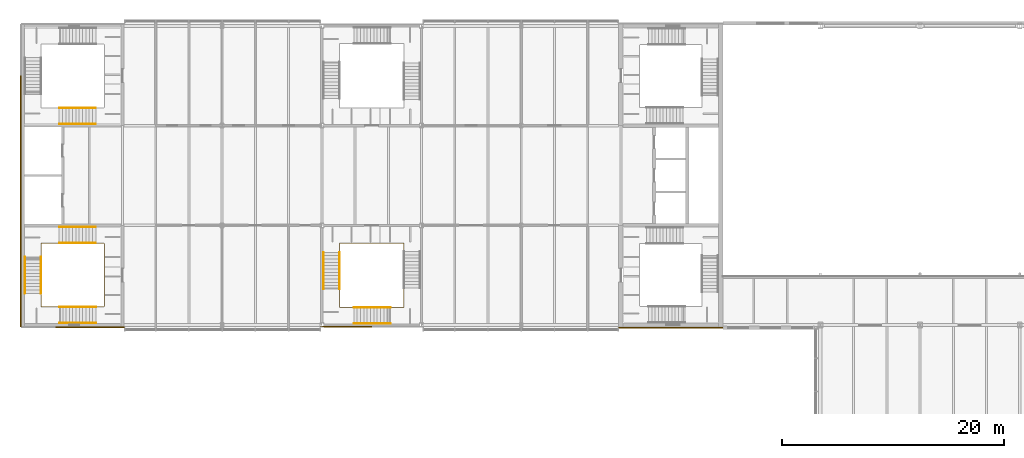
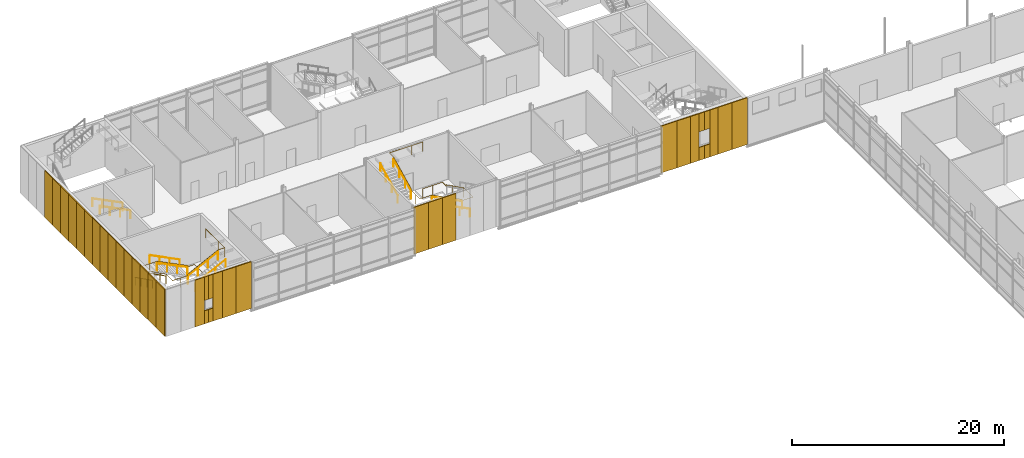
# One storey, part 50 of 56: 36 coverings, 14 railings.
"""IFC4 building model written with IfcOpenShell, lengths in metres."""

from ifc_helpers import new_model, si_unit, direction, frame, origin, origin_2d, place, context, subcontext, project, spatial, rectangle, circle, extrude, material, layer, layer_set, type_object, element, save


model = new_model("IFC4")

# Units and contexts
model_context = context("Model", 3, precision=1e-05, world=origin(), true_north=direction((0.0, 1.0)))
body_context = subcontext(model_context, "Body", "Model", "MODEL_VIEW")
ifc_project = project(units=[si_unit("LENGTHUNIT", "METRE"), si_unit("AREAUNIT", "SQUARE_METRE"), si_unit("VOLUMEUNIT", "CUBIC_METRE"), si_unit("PLANEANGLEUNIT", "RADIAN"), si_unit("MASSUNIT", "GRAM", prefix="KILO")], contexts=[model_context])

# Site, building, storey
site_placement = place(None, origin())
site = spatial("IfcSite", under=ifc_project, at=site_placement, CompositionType="ELEMENT")
building_placement = place(site_placement, origin())
building = spatial("IfcBuilding", under=site, at=building_placement, Name="Azimuth Sports and Learning Centre", CompositionType="ELEMENT")
storey_placement = place(building_placement, frame((0.0, 0.0, 5.39990234375)))
storey = spatial("IfcBuildingStorey", under=building, at=storey_placement, Name="L01", CompositionType="ELEMENT", Elevation=5.39990234375)

# Coverings
ifc_material_1 = material(Name="Cladding panel")
ifc_layer = layer(ifc_material_1, 0.10009765625)
ifc_layer_set = layer_set([ifc_layer], Name="Cladding panel")
covering_type = type_object("IfcCoveringType", Name="Cladding panel 100", PredefinedType="CLADDING", material=ifc_layer_set)
covering_1_placement = place(storey_placement, frame((3.52490234375, 89.800048828125, 0.000244140625), z_axis=(0.0, 0.0, 1.0), x_axis=(1.0, 0.0, 0.0)))
element("IfcCovering", 1, at=covering_1_placement, inside=storey, type_object=covering_type, Name="Cladding panel S-END W L01 3", PredefinedType="CLADDING", context=body_context, shape_type="SweptSolid", body=[
    extrude(rectangle(XDim=1.050048828125, YDim=0.10009765625, at=origin_2d()), origin(), (0.0, 0.0, 1.0), 5.39990234375),
])
covering_2_placement = place(storey_placement, frame((4.27490234375, 89.800048828125, 0.0), z_axis=(0.0, 0.0, 1.0), x_axis=(1.0, 0.0, 0.0)))
element("IfcCovering", 2, at=covering_2_placement, inside=storey, type_object=covering_type, Name="Cladding panel S-END W L01 4", PredefinedType="CLADDING", context=body_context, shape_type="SweptSolid", body=[
    extrude(rectangle(XDim=0.449951171875, YDim=0.10009765625, at=origin_2d()), origin(), (0.0, 0.0, 1.0), 1.5),
])
covering_3_placement = place(storey_placement, frame((4.27490234375, 89.800048828125, 2.7001953125), z_axis=(0.0, 0.0, 1.0), x_axis=(1.0, 0.0, 0.0)))
element("IfcCovering", 3, at=covering_3_placement, inside=storey, type_object=covering_type, Name="Cladding panel S-END W L01 5", PredefinedType="CLADDING", context=body_context, shape_type="SweptSolid", body=[
    extrude(rectangle(XDim=0.449951171875, YDim=0.10009765625, at=origin_2d()), origin(), (0.0, 0.0, 1.0), 2.699951171875),
])
covering_4_placement = place(storey_placement, frame((5.47509765625, 89.800048828125, 0.000244140625), z_axis=(0.0, 0.0, 1.0), x_axis=(1.0, 0.0, 0.0)))
element("IfcCovering", 4, at=covering_4_placement, inside=storey, type_object=covering_type, Name="Cladding panel S-END W L01 6", PredefinedType="CLADDING", context=body_context, shape_type="SweptSolid", body=[
    extrude(rectangle(XDim=1.050048828125, YDim=0.10009765625, at=origin_2d()), origin(), (0.0, 0.0, 1.0), 5.39990234375),
])
covering_5_placement = place(storey_placement, frame((4.72509765625, 89.800048828125, 0.0), z_axis=(0.0, 0.0, 1.0), x_axis=(1.0, 0.0, 0.0)))
element("IfcCovering", 5, at=covering_5_placement, inside=storey, type_object=covering_type, Name="Cladding panel S-END W L01 7", PredefinedType="CLADDING", context=body_context, shape_type="SweptSolid", body=[
    extrude(rectangle(XDim=0.449951171875, YDim=0.10009765625, at=origin_2d()), origin(), (0.0, 0.0, 1.0), 1.5),
])
covering_6_placement = place(storey_placement, frame((4.72509765625, 89.800048828125, 2.7001953125), z_axis=(0.0, 0.0, 1.0), x_axis=(1.0, 0.0, 0.0)))
element("IfcCovering", 6, at=covering_6_placement, inside=storey, type_object=covering_type, Name="Cladding panel S-END W L01 8", PredefinedType="CLADDING", context=body_context, shape_type="SweptSolid", body=[
    extrude(rectangle(XDim=0.449951171875, YDim=0.10009765625, at=origin_2d()), origin(), (0.0, 0.0, 1.0), 2.699951171875),
])
covering_7_placement = place(storey_placement, frame((6.75, 89.800048828125, 0.000244140625), z_axis=(0.0, 0.0, 1.0), x_axis=(1.0, 0.0, 0.0)))
element("IfcCovering", 7, at=covering_7_placement, inside=storey, type_object=covering_type, Name="Cladding panel S-END W L01 9", PredefinedType="CLADDING", context=body_context, shape_type="SweptSolid", body=[
    extrude(rectangle(XDim=1.5, YDim=0.10009765625, at=origin_2d()), origin(), (0.0, 0.0, 1.0), 5.39990234375),
])
covering_8_placement = place(storey_placement, frame((8.324951171875, 89.800048828125, 0.000244140625), z_axis=(0.0, 0.0, 1.0), x_axis=(1.0, 0.0, 0.0)))
element("IfcCovering", 8, at=covering_8_placement, inside=storey, type_object=covering_type, Name="Cladding panel S-END W L01 10", PredefinedType="CLADDING", context=body_context, shape_type="SweptSolid", body=[
    extrude(rectangle(XDim=1.64990234375, YDim=0.10009765625, at=origin_2d()), origin(), (0.0, 0.0, 1.0), 5.39990234375),
])
covering_9_placement = place(storey_placement, frame((27.699951171875, 89.85009765625, 0.000244140625), z_axis=(0.0, 0.0, 1.0), x_axis=(1.0, 0.0, 0.0)))
element("IfcCovering", 9, at=covering_9_placement, inside=storey, type_object=covering_type, Name="Cladding panel S-WM1 L01 1", PredefinedType="CLADDING", context=body_context, shape_type="SweptSolid", body=[
    extrude(rectangle(XDim=1.60009765625, YDim=0.10009765625, at=origin_2d()), origin(), (0.0, 0.0, 1.0), 5.39990234375),
])
for number, where, z_axis, x_axis, name in (
    (10, (29.25, 89.85009765625, 0.000244140625), (0.0, 0.0, 1.0), (1.0, 0.0, 0.0), "Cladding panel S-WM1 L01 2"),
    (11, (30.75, 89.85009765625, 0.000244140625), (0.0, 0.0, 1.0), (1.0, 0.0, 0.0), "Cladding panel S-WM1 L01 3"),
):
    element("IfcCovering", number, at=place(storey_placement, frame(where, z_axis=z_axis, x_axis=x_axis)), inside=storey, type_object=covering_type, Name=name, PredefinedType="CLADDING", context=body_context, shape_type="SweptSolid", body=[
        extrude(rectangle(XDim=1.5, YDim=0.10009765625, at=origin_2d()), origin(), (0.0, 0.0, 1.0), 5.39990234375),
    ])
covering_10_placement = place(storey_placement, frame((54.64990234375, 89.75, 0.000244140625), z_axis=(0.0, 0.0, 1.0), x_axis=(1.0, 0.0, 0.0)))
element("IfcCovering", 12, at=covering_10_placement, inside=storey, type_object=covering_type, Name="Cladding panel S-CORE W L01 1", PredefinedType="CLADDING", context=body_context, shape_type="SweptSolid", body=[
    extrude(rectangle(XDim=1.699951171875, YDim=0.10009765625, at=origin_2d()), origin(), (0.0, 0.0, 1.0), 5.39990234375),
])
covering_11_placement = place(storey_placement, frame((56.25, 89.75, 0.000244140625), z_axis=(0.0, 0.0, 1.0), x_axis=(1.0, 0.0, 0.0)))
element("IfcCovering", 13, at=covering_11_placement, inside=storey, type_object=covering_type, Name="Cladding panel S-CORE W L01 2", PredefinedType="CLADDING", context=body_context, shape_type="SweptSolid", body=[
    extrude(rectangle(XDim=1.5, YDim=0.10009765625, at=origin_2d()), origin(), (0.0, 0.0, 1.0), 5.39990234375),
])
covering_12_placement = place(storey_placement, frame((57.449951171875, 89.75, 0.000244140625), z_axis=(0.0, 0.0, 1.0), x_axis=(1.0, 0.0, 0.0)))
element("IfcCovering", 14, at=covering_12_placement, inside=storey, type_object=covering_type, Name="Cladding panel S-CORE W L01 3", PredefinedType="CLADDING", context=body_context, shape_type="SweptSolid", body=[
    extrude(rectangle(XDim=0.89990234375, YDim=0.10009765625, at=origin_2d()), origin(), (0.0, 0.0, 1.0), 5.39990234375),
])
covering_13_placement = place(storey_placement, frame((58.199951171875, 89.75, 0.0), z_axis=(0.0, 0.0, 1.0), x_axis=(1.0, 0.0, 0.0)))
element("IfcCovering", 15, at=covering_13_placement, inside=storey, type_object=covering_type, Name="Cladding panel S-CORE W L01 4", PredefinedType="CLADDING", context=body_context, shape_type="SweptSolid", body=[
    extrude(rectangle(XDim=0.60009765625, YDim=0.10009765625, at=origin_2d()), origin(), (0.0, 0.0, 1.0), 1.5),
])
covering_14_placement = place(storey_placement, frame((58.199951171875, 89.75, 3.300048828125), z_axis=(0.0, 0.0, 1.0), x_axis=(1.0, 0.0, 0.0)))
element("IfcCovering", 16, at=covering_14_placement, inside=storey, type_object=covering_type, Name="Cladding panel S-CORE W L01 5", PredefinedType="CLADDING", context=body_context, shape_type="SweptSolid", body=[
    extrude(rectangle(XDim=0.60009765625, YDim=0.10009765625, at=origin_2d()), origin(), (0.0, 0.0, 1.0), 2.10009765625),
])
covering_15_placement = place(storey_placement, frame((59.550048828125, 89.75, 0.000244140625), z_axis=(0.0, 0.0, 1.0), x_axis=(1.0, 0.0, 0.0)))
element("IfcCovering", 17, at=covering_15_placement, inside=storey, type_object=covering_type, Name="Cladding panel S-CORE W L01 6", PredefinedType="CLADDING", context=body_context, shape_type="SweptSolid", body=[
    extrude(rectangle(XDim=0.89990234375, YDim=0.10009765625, at=origin_2d()), origin(), (0.0, 0.0, 1.0), 5.39990234375),
])
covering_16_placement = place(storey_placement, frame((58.800048828125, 89.75, 0.0), z_axis=(0.0, 0.0, 1.0), x_axis=(1.0, 0.0, 0.0)))
element("IfcCovering", 18, at=covering_16_placement, inside=storey, type_object=covering_type, Name="Cladding panel S-CORE W L01 7", PredefinedType="CLADDING", context=body_context, shape_type="SweptSolid", body=[
    extrude(rectangle(XDim=0.60009765625, YDim=0.10009765625, at=origin_2d()), origin(), (0.0, 0.0, 1.0), 1.5),
])
covering_17_placement = place(storey_placement, frame((58.800048828125, 89.75, 3.300048828125), z_axis=(0.0, 0.0, 1.0), x_axis=(1.0, 0.0, 0.0)))
element("IfcCovering", 19, at=covering_17_placement, inside=storey, type_object=covering_type, Name="Cladding panel S-CORE W L01 8", PredefinedType="CLADDING", context=body_context, shape_type="SweptSolid", body=[
    extrude(rectangle(XDim=0.60009765625, YDim=0.10009765625, at=origin_2d()), origin(), (0.0, 0.0, 1.0), 2.10009765625),
])
covering_18_placement = place(storey_placement, frame((60.75, 89.75, 0.000244140625), z_axis=(0.0, 0.0, 1.0), x_axis=(1.0, 0.0, 0.0)))
element("IfcCovering", 20, at=covering_18_placement, inside=storey, type_object=covering_type, Name="Cladding panel S-CORE W L01 9", PredefinedType="CLADDING", context=body_context, shape_type="SweptSolid", body=[
    extrude(rectangle(XDim=1.5, YDim=0.10009765625, at=origin_2d()), origin(), (0.0, 0.0, 1.0), 5.39990234375),
])
covering_19_placement = place(storey_placement, frame((62.35009765625, 89.75, 0.000244140625), z_axis=(0.0, 0.0, 1.0), x_axis=(1.0, 0.0, 0.0)))
element("IfcCovering", 21, at=covering_19_placement, inside=storey, type_object=covering_type, Name="Cladding panel S-CORE W L01 10", PredefinedType="CLADDING", context=body_context, shape_type="SweptSolid", body=[
    extrude(rectangle(XDim=1.699951171875, YDim=0.10009765625, at=origin_2d()), origin(), (0.0, 0.0, 1.0), 5.39990234375),
])
for number, where, z_axis, x_axis, name in (
    (22, (-0.199951171875, 111.75, 0.000244140625), (0.0, 0.0, 1.0), (0.0, -1.0, 0.0), "Cladding panel W-END W L01 4"),
    (23, (-0.199951171875, 110.25, 0.000244140625), (0.0, 0.0, 1.0), (0.0, -1.0, 0.0), "Cladding panel W-END W L01 5"),
    (24, (-0.199951171875, 108.75, 0.000244140625), (0.0, 0.0, 1.0), (0.0, -1.0, 0.0), "Cladding panel W-END W L01 6"),
    (25, (-0.199951171875, 107.25, 0.000244140625), (0.0, 0.0, 1.0), (0.0, -1.0, 0.0), "Cladding panel W-END W L01 7"),
    (26, (-0.199951171875, 105.75, 0.000244140625), (0.0, 0.0, 1.0), (0.0, -1.0, 0.0), "Cladding panel W-END W L01 8"),
    (27, (-0.199951171875, 104.25, 0.000244140625), (0.0, 0.0, 1.0), (0.0, -1.0, 0.0), "Cladding panel W-END W L01 9"),
    (28, (-0.199951171875, 102.75, 0.000244140625), (0.0, 0.0, 1.0), (0.0, -1.0, 0.0), "Cladding panel W-END W L01 10"),
    (29, (-0.199951171875, 101.25, 0.000244140625), (0.0, 0.0, 1.0), (0.0, -1.0, 0.0), "Cladding panel W-END W L01 11"),
    (30, (-0.199951171875, 99.75, 0.000244140625), (0.0, 0.0, 1.0), (0.0, -1.0, 0.0), "Cladding panel W-END W L01 12"),
    (31, (-0.199951171875, 98.25, 0.000244140625), (0.0, 0.0, 1.0), (0.0, -1.0, 0.0), "Cladding panel W-END W L01 13"),
    (32, (-0.199951171875, 96.75, 0.000244140625), (0.0, 0.0, 1.0), (0.0, -1.0, 0.0), "Cladding panel W-END W L01 14"),
    (33, (-0.199951171875, 95.25, 0.000244140625), (0.0, 0.0, 1.0), (0.0, -1.0, 0.0), "Cladding panel W-END W L01 15"),
    (34, (-0.199951171875, 93.75, 0.000244140625), (0.0, 0.0, 1.0), (0.0, -1.0, 0.0), "Cladding panel W-END W L01 16"),
    (35, (-0.199951171875, 92.25, 0.000244140625), (0.0, 0.0, 1.0), (0.0, -1.0, 0.0), "Cladding panel W-END W L01 17"),
):
    element("IfcCovering", number, at=place(storey_placement, frame(where, z_axis=z_axis, x_axis=x_axis)), inside=storey, type_object=covering_type, Name=name, PredefinedType="CLADDING", context=body_context, shape_type="SweptSolid", body=[
        extrude(rectangle(XDim=1.5, YDim=0.10009765625, at=origin_2d()), origin(), (0.0, 0.0, 1.0), 5.39990234375),
    ])
covering_20_placement = place(storey_placement, frame((-0.199951171875, 90.675048828125, 0.000244140625), z_axis=(0.0, 0.0, 1.0), x_axis=(0.0, -1.0, 0.0)))
element("IfcCovering", 36, at=covering_20_placement, inside=storey, type_object=covering_type, Name="Cladding panel W-END W L01 18", PredefinedType="CLADDING", context=body_context, shape_type="SweptSolid", body=[
    extrude(rectangle(XDim=1.64990234375, YDim=0.10009765625, at=origin_2d()), origin(), (0.0, 0.0, 1.0), 5.39990234375),
])

# Railings
ifc_material_2 = material(Name="Stainless steel", Category="steel")
railing_type_1 = type_object("IfcRailingType", Name="Stair guard 1100", PredefinedType="GUARDRAIL", material=ifc_material_2)
railing_1_placement = place(storey_placement, frame((7.340087890625, 95.25, 0.0)))
element("IfcRailing", 37, at=railing_1_placement, inside=storey, type_object=railing_type_1, Name="Guard WW1 L01 well", PredefinedType="GUARDRAIL", context=body_context, shape_type="SweptSolid", body=[
    extrude(circle(Radius=0.02392578125, at=origin_2d()), frame((0.0, 0.0, 1.076171875), z_axis=(0.0, 1.0, 0.0), x_axis=(-1.0, 0.0, 0.0)), (0.0, 0.0, 1.0), 2.114990234375),
    extrude(circle(Radius=0.02392578125, at=origin_2d()), frame((0.0, 2.114990234375, 1.076171875), z_axis=(-1.0, 0.0, 0.0), x_axis=(0.0, -1.0, 0.0)), (0.0, 0.0, 1.0), 0.75),
    extrude(circle(Radius=0.02392578125, at=origin_2d()), frame((-0.75, 2.114990234375, 1.076171875), z_axis=(0.0, 0.0, 1.0), x_axis=(1.0, 0.0, 0.0)), (0.0, 0.0, 1.0), 0.150146484375),
    extrude(circle(Radius=0.02392578125, at=origin_2d()), frame((-0.75, 2.114990234375, 1.22607421875), z_axis=(-0.894440424912, 0.0, 0.447187126696), x_axis=(0.0, -1.0, 0.0)), (0.0, 0.0, 1.0), 3.689453125),
    extrude(circle(Radius=0.02392578125, at=origin_2d()), frame((-4.050048828125, 2.114990234375, 2.8759765625), z_axis=(-1.0, 0.0, 0.0), x_axis=(0.0, -1.0, 0.0)), (0.0, 0.0, 1.0), 1.630126953125),
    extrude(circle(Radius=0.02392578125, at=origin_2d()), frame((-5.68017578125, 2.114990234375, 2.8759765625), z_axis=(0.0, -1.0, 0.0), x_axis=(1.0, 0.0, 0.0)), (0.0, 0.0, 1.0), 1.199951171875),
    extrude(circle(Radius=0.02392578125, at=origin_2d()), frame((-5.68017578125, 0.9150390625, 2.8759765625), z_axis=(0.0, 0.0, 1.0), x_axis=(1.0, 0.0, 0.0)), (0.0, 0.0, 1.0), 0.150146484375),
    extrude(circle(Radius=0.02392578125, at=origin_2d()), frame((-5.68017578125, 0.9150390625, 3.0263671875), z_axis=(0.0, -0.894440424912, 0.447187126696), x_axis=(1.0, 0.0, 0.0)), (0.0, 0.0, 1.0), 3.689453125),
    extrude(circle(Radius=0.02392578125, at=origin_2d()), frame((-5.68017578125, -2.385009765625, 4.67626953125), z_axis=(0.0, -1.0, 0.0), x_axis=(1.0, 0.0, 0.0)), (0.0, 0.0, 1.0), 1.205078125),
    extrude(circle(Radius=0.02392578125, at=origin_2d()), frame((-5.68017578125, -3.590087890625, 4.67626953125), z_axis=(1.0, 0.0, 0.0), x_axis=(0.0, 1.0, 0.0)), (0.0, 0.0, 1.0), 1.650146484375),
    extrude(circle(Radius=0.02392578125, at=origin_2d()), frame((-4.030029296875, -3.590087890625, 4.67626953125), z_axis=(0.0, 0.0, 1.0), x_axis=(1.0, 0.0, 0.0)), (0.0, 0.0, 1.0), 0.14990234375),
    extrude(circle(Radius=0.02392578125, at=origin_2d()), frame((-4.030029296875, -3.590087890625, 4.826171875), z_axis=(0.894413956696, 0.0, 0.447240063129), x_axis=(0.0, 1.0, 0.0)), (0.0, 0.0, 1.0), 3.689697265625),
    extrude(circle(Radius=0.02392578125, at=origin_2d()), frame((-0.72998046875, -3.590087890625, 6.47607421875), z_axis=(1.0, 0.0, 0.0), x_axis=(0.0, 1.0, 0.0)), (0.0, 0.0, 1.0), 0.72998046875),
    extrude(circle(Radius=0.02392578125, at=origin_2d()), frame((0.0, -3.590087890625, 6.47607421875), z_axis=(0.0, 1.0, 0.0), x_axis=(-1.0, 0.0, 0.0)), (0.0, 0.0, 1.0), 3.590087890625),
    extrude(circle(Radius=0.01611328125, at=origin_2d()), origin(), (0.0, 0.0, 1.0), 1.052001953125),
    extrude(circle(Radius=0.01611328125, at=origin_2d()), frame((0.0, 1.0576171875, 0.0)), (0.0, 0.0, 1.0), 1.052001953125),
    extrude(circle(Radius=0.01611328125, at=origin_2d()), frame((0.0, 2.114990234375, 0.0)), (0.0, 0.0, 1.0), 1.052001953125),
    extrude(circle(Radius=0.01611328125, at=origin_2d()), frame((-0.75, 2.114990234375, 0.0)), (0.0, 0.0, 1.0), 1.052001953125),
    extrude(circle(Radius=0.01611328125, at=origin_2d()), frame((-0.75, 2.114990234375, 0.150146484375)), (0.0, 0.0, 1.0), 1.052001953125),
    extrude(circle(Radius=0.01611328125, at=origin_2d()), frame((-1.85009765625, 2.114990234375, 0.7001953125)), (0.0, 0.0, 1.0), 1.052001953125),
    extrude(circle(Radius=0.01611328125, at=origin_2d()), frame((-2.949951171875, 2.114990234375, 1.25)), (0.0, 0.0, 1.0), 1.052001953125),
    extrude(circle(Radius=0.01611328125, at=origin_2d()), frame((-4.050048828125, 2.114990234375, 1.800048828125)), (0.0, 0.0, 1.0), 1.052001953125),
    extrude(circle(Radius=0.01611328125, at=origin_2d()), frame((-4.865234375, 2.114990234375, 1.800048828125)), (0.0, 0.0, 1.0), 1.052001953125),
    extrude(circle(Radius=0.01611328125, at=origin_2d()), frame((-5.68017578125, 2.114990234375, 1.800048828125)), (0.0, 0.0, 1.0), 1.052001953125),
    extrude(circle(Radius=0.01611328125, at=origin_2d()), frame((-5.68017578125, 0.9150390625, 1.800048828125)), (0.0, 0.0, 1.0), 1.052001953125),
    extrude(circle(Radius=0.01611328125, at=origin_2d()), frame((-5.68017578125, 0.9150390625, 1.9501953125)), (0.0, 0.0, 1.0), 1.052001953125),
    extrude(circle(Radius=0.01611328125, at=origin_2d()), frame((-5.68017578125, -0.18505859375, 2.500244140625)), (0.0, 0.0, 1.0), 1.052001953125),
    extrude(circle(Radius=0.01611328125, at=origin_2d()), frame((-5.68017578125, -1.284912109375, 3.050048828125)), (0.0, 0.0, 1.0), 1.052001953125),
    extrude(circle(Radius=0.01611328125, at=origin_2d()), frame((-5.68017578125, -2.385009765625, 3.60009765625)), (0.0, 0.0, 1.0), 1.052001953125),
    extrude(circle(Radius=0.01611328125, at=origin_2d()), frame((-5.68017578125, -3.590087890625, 3.60009765625)), (0.0, 0.0, 1.0), 1.052001953125),
    extrude(circle(Radius=0.01611328125, at=origin_2d()), frame((-4.85498046875, -3.590087890625, 3.60009765625)), (0.0, 0.0, 1.0), 1.052001953125),
    extrude(circle(Radius=0.01611328125, at=origin_2d()), frame((-4.030029296875, -3.590087890625, 3.60009765625)), (0.0, 0.0, 1.0), 1.052001953125),
    extrude(circle(Radius=0.01611328125, at=origin_2d()), frame((-4.030029296875, -3.590087890625, 3.75)), (0.0, 0.0, 1.0), 1.052001953125),
    extrude(circle(Radius=0.01611328125, at=origin_2d()), frame((-2.929931640625, -3.590087890625, 4.300048828125)), (0.0, 0.0, 1.0), 1.052001953125),
    extrude(circle(Radius=0.01611328125, at=origin_2d()), frame((-1.830078125, -3.590087890625, 4.85009765625)), (0.0, 0.0, 1.0), 1.052001953125),
    extrude(circle(Radius=0.01611328125, at=origin_2d()), frame((-0.72998046875, -3.590087890625, 5.400146484375)), (0.0, 0.0, 1.0), 1.052001953125),
    extrude(circle(Radius=0.01611328125, at=origin_2d()), frame((0.0, -3.590087890625, 5.400146484375)), (0.0, 0.0, 1.0), 1.052001953125),
    extrude(circle(Radius=0.01611328125, at=origin_2d()), frame((0.0, -2.393310546875, 5.400146484375)), (0.0, 0.0, 1.0), 1.052001953125),
    extrude(circle(Radius=0.01611328125, at=origin_2d()), frame((0.0, -1.19677734375, 5.400146484375)), (0.0, 0.0, 1.0), 1.052001953125),
    extrude(circle(Radius=0.01611328125, at=origin_2d()), frame((0.0, 0.0, 5.400146484375)), (0.0, 0.0, 1.0), 1.052001953125),
])
railing_2_placement = place(storey_placement, frame((32.25, 97.389892578125, 0.0)))
element("IfcRailing", 38, at=railing_2_placement, inside=storey, type_object=railing_type_1, Name="Guard WM1 L01 well", PredefinedType="GUARDRAIL", context=body_context, shape_type="SweptSolid", body=[
    extrude(circle(Radius=0.02392578125, at=origin_2d()), frame((0.0, 0.0, 1.076171875), z_axis=(1.0, 0.0, 0.0), x_axis=(0.0, 1.0, 0.0)), (0.0, 0.0, 1.0), 2.139892578125),
    extrude(circle(Radius=0.02392578125, at=origin_2d()), frame((2.139892578125, 0.0, 1.076171875), z_axis=(0.0, -1.0, 0.0), x_axis=(1.0, 0.0, 0.0)), (0.0, 0.0, 1.0), 0.75),
    extrude(circle(Radius=0.02392578125, at=origin_2d()), frame((2.139892578125, -0.75, 1.076171875), z_axis=(0.0, 0.0, 1.0), x_axis=(1.0, 0.0, 0.0)), (0.0, 0.0, 1.0), 0.150146484375),
    extrude(circle(Radius=0.02392578125, at=origin_2d()), frame((2.139892578125, -0.75, 1.22607421875), z_axis=(0.0, -0.894427191, 0.4472135955), x_axis=(1.0, 0.0, 0.0)), (0.0, 0.0, 1.0), 3.689208984375),
    extrude(circle(Radius=0.02392578125, at=origin_2d()), frame((2.139892578125, -4.0498046875, 2.8759765625), z_axis=(0.0, -1.0, 0.0), x_axis=(1.0, 0.0, 0.0)), (0.0, 0.0, 1.0), 1.72998046875),
    extrude(circle(Radius=0.02392578125, at=origin_2d()), frame((2.139892578125, -5.77978515625, 2.8759765625), z_axis=(-1.0, 0.0, 0.0), x_axis=(0.0, -1.0, 0.0)), (0.0, 0.0, 1.0), 1.199951171875),
    extrude(circle(Radius=0.02392578125, at=origin_2d()), frame((0.93994140625, -5.77978515625, 2.8759765625), z_axis=(0.0, 0.0, 1.0), x_axis=(1.0, 0.0, 0.0)), (0.0, 0.0, 1.0), 0.150146484375),
    extrude(circle(Radius=0.02392578125, at=origin_2d()), frame((0.93994140625, -5.77978515625, 3.0263671875), z_axis=(-0.894440424912, 0.0, 0.447187126696), x_axis=(0.0, -1.0, 0.0)), (0.0, 0.0, 1.0), 3.689453125),
    extrude(circle(Radius=0.02392578125, at=origin_2d()), frame((-2.360107421875, -5.77978515625, 4.67626953125), z_axis=(-1.0, 0.0, 0.0), x_axis=(0.0, -1.0, 0.0)), (0.0, 0.0, 1.0), 1.27978515625),
    extrude(circle(Radius=0.02392578125, at=origin_2d()), frame((-3.639892578125, -5.77978515625, 4.67626953125), z_axis=(0.0, 1.0, 0.0), x_axis=(-1.0, 0.0, 0.0)), (0.0, 0.0, 1.0), 1.64990234375),
    extrude(circle(Radius=0.02392578125, at=origin_2d()), frame((-3.639892578125, -4.1298828125, 4.67626953125), z_axis=(0.0, 0.0, 1.0), x_axis=(1.0, 0.0, 0.0)), (0.0, 0.0, 1.0), 0.14990234375),
    extrude(circle(Radius=0.02392578125, at=origin_2d()), frame((-3.639892578125, -4.1298828125, 4.826171875), z_axis=(0.0, 0.894413956696, 0.447240063129), x_axis=(-1.0, 0.0, 0.0)), (0.0, 0.0, 1.0), 3.689697265625),
    extrude(circle(Radius=0.02392578125, at=origin_2d()), frame((-3.639892578125, -0.829833984375, 6.47607421875), z_axis=(0.0, 1.0, 0.0), x_axis=(-1.0, 0.0, 0.0)), (0.0, 0.0, 1.0), 0.829833984375),
    extrude(circle(Radius=0.02392578125, at=origin_2d()), frame((-3.639892578125, 0.0, 6.47607421875), z_axis=(1.0, 0.0, 0.0), x_axis=(0.0, 1.0, 0.0)), (0.0, 0.0, 1.0), 3.639892578125),
    extrude(circle(Radius=0.01611328125, at=origin_2d()), origin(), (0.0, 0.0, 1.0), 1.052001953125),
    extrude(circle(Radius=0.01611328125, at=origin_2d()), frame((1.06982421875, 0.0, 0.0)), (0.0, 0.0, 1.0), 1.052001953125),
    extrude(circle(Radius=0.01611328125, at=origin_2d()), frame((2.139892578125, 0.0, 0.0)), (0.0, 0.0, 1.0), 1.052001953125),
    extrude(circle(Radius=0.01611328125, at=origin_2d()), frame((2.139892578125, -0.75, 0.0)), (0.0, 0.0, 1.0), 1.052001953125),
    extrude(circle(Radius=0.01611328125, at=origin_2d()), frame((2.139892578125, -0.75, 0.150146484375)), (0.0, 0.0, 1.0), 1.052001953125),
    extrude(circle(Radius=0.01611328125, at=origin_2d()), frame((2.139892578125, -1.849853515625, 0.7001953125)), (0.0, 0.0, 1.0), 1.052001953125),
    extrude(circle(Radius=0.01611328125, at=origin_2d()), frame((2.139892578125, -2.949951171875, 1.25)), (0.0, 0.0, 1.0), 1.052001953125),
    extrude(circle(Radius=0.01611328125, at=origin_2d()), frame((2.139892578125, -4.0498046875, 1.800048828125)), (0.0, 0.0, 1.0), 1.052001953125),
    extrude(circle(Radius=0.01611328125, at=origin_2d()), frame((2.139892578125, -4.914794921875, 1.800048828125)), (0.0, 0.0, 1.0), 1.052001953125),
    extrude(circle(Radius=0.01611328125, at=origin_2d()), frame((2.139892578125, -5.77978515625, 1.800048828125)), (0.0, 0.0, 1.0), 1.052001953125),
    extrude(circle(Radius=0.01611328125, at=origin_2d()), frame((0.93994140625, -5.77978515625, 1.800048828125)), (0.0, 0.0, 1.0), 1.052001953125),
    extrude(circle(Radius=0.01611328125, at=origin_2d()), frame((0.93994140625, -5.77978515625, 1.9501953125)), (0.0, 0.0, 1.0), 1.052001953125),
    extrude(circle(Radius=0.01611328125, at=origin_2d()), frame((-0.16015625, -5.77978515625, 2.500244140625)), (0.0, 0.0, 1.0), 1.052001953125),
    extrude(circle(Radius=0.01611328125, at=origin_2d()), frame((-1.260009765625, -5.77978515625, 3.050048828125)), (0.0, 0.0, 1.0), 1.052001953125),
    extrude(circle(Radius=0.01611328125, at=origin_2d()), frame((-2.360107421875, -5.77978515625, 3.60009765625)), (0.0, 0.0, 1.0), 1.052001953125),
    extrude(circle(Radius=0.01611328125, at=origin_2d()), frame((-3.639892578125, -5.77978515625, 3.60009765625)), (0.0, 0.0, 1.0), 1.052001953125),
    extrude(circle(Radius=0.01611328125, at=origin_2d()), frame((-3.639892578125, -4.954833984375, 3.60009765625)), (0.0, 0.0, 1.0), 1.052001953125),
    extrude(circle(Radius=0.01611328125, at=origin_2d()), frame((-3.639892578125, -4.1298828125, 3.60009765625)), (0.0, 0.0, 1.0), 1.052001953125),
    extrude(circle(Radius=0.01611328125, at=origin_2d()), frame((-3.639892578125, -4.1298828125, 3.75)), (0.0, 0.0, 1.0), 1.052001953125),
    extrude(circle(Radius=0.01611328125, at=origin_2d()), frame((-3.639892578125, -3.02978515625, 4.300048828125)), (0.0, 0.0, 1.0), 1.052001953125),
    extrude(circle(Radius=0.01611328125, at=origin_2d()), frame((-3.639892578125, -1.929931640625, 4.85009765625)), (0.0, 0.0, 1.0), 1.052001953125),
    extrude(circle(Radius=0.01611328125, at=origin_2d()), frame((-3.639892578125, -0.829833984375, 5.400146484375)), (0.0, 0.0, 1.0), 1.052001953125),
    extrude(circle(Radius=0.01611328125, at=origin_2d()), frame((-3.639892578125, 0.0, 5.400146484375)), (0.0, 0.0, 1.0), 1.052001953125),
    extrude(circle(Radius=0.01611328125, at=origin_2d()), frame((-2.426513671875, 0.0, 5.400146484375)), (0.0, 0.0, 1.0), 1.052001953125),
    extrude(circle(Radius=0.01611328125, at=origin_2d()), frame((-1.21337890625, 0.0, 5.400146484375)), (0.0, 0.0, 1.0), 1.052001953125),
    extrude(circle(Radius=0.01611328125, at=origin_2d()), frame((0.0, 0.0, 5.400146484375)), (0.0, 0.0, 1.0), 1.052001953125),
])
ifc_material_3 = material(Name="Stainless steel", Category="steel")
railing_type_2 = type_object("IfcRailingType", Name="Stair handrail 42", PredefinedType="HANDRAIL", material=ifc_material_3)
for number, where, name in (
    (39, (6.590087890625, 97.39501953125, 0.150146484375), "Handrail WW1 L01 flight 1 inner"),
    (40, (6.590087890625, 98.8349609375, 0.150146484375), "Handrail WW1 L01 flight 1 outer"),
):
    element("IfcRailing", number, at=place(storey_placement, frame(where)), inside=storey, type_object=railing_type_2, Name=name, PredefinedType="HANDRAIL", context=body_context, shape_type="SweptSolid", body=[
        extrude(circle(Radius=0.02099609375, at=origin_2d()), frame((0.0, 0.0, 0.87890625), z_axis=(-0.894440424912, 0.0, 0.447187126696), x_axis=(0.0, -1.0, 0.0)), (0.0, 0.0, 1.0), 3.689453125),
        extrude(circle(Radius=0.01611328125, at=origin_2d()), origin(), (0.0, 0.0, 1.0), 0.85791015625),
        extrude(circle(Radius=0.01611328125, at=origin_2d()), frame((-1.10009765625, 0.0, 0.550048828125)), (0.0, 0.0, 1.0), 0.85791015625),
        extrude(circle(Radius=0.01611328125, at=origin_2d()), frame((-2.199951171875, 0.0, 1.099853515625)), (0.0, 0.0, 1.0), 0.85791015625),
        extrude(circle(Radius=0.01611328125, at=origin_2d()), frame((-3.300048828125, 0.0, 1.64990234375)), (0.0, 0.0, 1.0), 0.85791015625),
    ])
for number, where, name in (
    (41, (1.6298828125, 96.1650390625, 1.9501953125), "Handrail WW1 L01 flight 2 inner"),
    (42, (0.18994140625, 96.1650390625, 1.9501953125), "Handrail WW1 L01 flight 2 outer"),
):
    element("IfcRailing", number, at=place(storey_placement, frame(where)), inside=storey, type_object=railing_type_2, Name=name, PredefinedType="HANDRAIL", context=body_context, shape_type="SweptSolid", body=[
        extrude(circle(Radius=0.02099609375, at=origin_2d()), frame((0.0, 0.0, 0.87890625), z_axis=(0.0, -0.894440424912, 0.447187126696), x_axis=(1.0, 0.0, 0.0)), (0.0, 0.0, 1.0), 3.689453125),
        extrude(circle(Radius=0.01611328125, at=origin_2d()), origin(), (0.0, 0.0, 1.0), 0.85791015625),
        extrude(circle(Radius=0.01611328125, at=origin_2d()), frame((0.0, -1.10009765625, 0.550048828125)), (0.0, 0.0, 1.0), 0.85791015625),
        extrude(circle(Radius=0.01611328125, at=origin_2d()), frame((0.0, -2.199951171875, 1.099853515625)), (0.0, 0.0, 1.0), 0.85791015625),
        extrude(circle(Radius=0.01611328125, at=origin_2d()), frame((0.0, -3.300048828125, 1.64990234375)), (0.0, 0.0, 1.0), 0.85791015625),
    ])
for number, where, name in (
    (43, (3.31005859375, 91.6298828125, 3.75), "Handrail WW1 L01 flight 3 inner"),
    (44, (3.31005859375, 90.18994140625, 3.75), "Handrail WW1 L01 flight 3 outer"),
):
    element("IfcRailing", number, at=place(storey_placement, frame(where)), inside=storey, type_object=railing_type_2, Name=name, PredefinedType="HANDRAIL", context=body_context, shape_type="SweptSolid", body=[
        extrude(circle(Radius=0.02099609375, at=origin_2d()), frame((0.0, 0.0, 0.87890625), z_axis=(0.894413956696, 0.0, 0.447240063129), x_axis=(0.0, 1.0, 0.0)), (0.0, 0.0, 1.0), 3.689697265625),
        extrude(circle(Radius=0.01611328125, at=origin_2d()), origin(), (0.0, 0.0, 1.0), 0.85791015625),
        extrude(circle(Radius=0.01611328125, at=origin_2d()), frame((1.10009765625, 0.0, 0.550048828125)), (0.0, 0.0, 1.0), 0.85791015625),
        extrude(circle(Radius=0.01611328125, at=origin_2d()), frame((2.199951171875, 0.0, 1.10009765625)), (0.0, 0.0, 1.0), 0.85791015625),
        extrude(circle(Radius=0.01611328125, at=origin_2d()), frame((3.300048828125, 0.0, 1.650146484375)), (0.0, 0.0, 1.0), 0.85791015625),
    ])
for number, where, name in (
    (45, (6.590087890625, 109.60498046875, 0.150146484375), "Handrail WW2 L01 flight 1 inner"),
    (46, (6.590087890625, 108.1650390625, 0.150146484375), "Handrail WW2 L01 flight 1 outer"),
    (47, (33.18994140625, 91.580078125, 1.9501953125), "Handrail WM1 L01 flight 2 inner"),
    (48, (33.18994140625, 90.139892578125, 1.9501953125), "Handrail WM1 L01 flight 2 outer"),
):
    element("IfcRailing", number, at=place(storey_placement, frame(where)), inside=storey, type_object=railing_type_2, Name=name, PredefinedType="HANDRAIL", context=body_context, shape_type="SweptSolid", body=[
        extrude(circle(Radius=0.02099609375, at=origin_2d()), frame((0.0, 0.0, 0.87890625), z_axis=(-0.894440424912, 0.0, 0.447187126696), x_axis=(0.0, -1.0, 0.0)), (0.0, 0.0, 1.0), 3.689453125),
        extrude(circle(Radius=0.01611328125, at=origin_2d()), origin(), (0.0, 0.0, 1.0), 0.85791015625),
        extrude(circle(Radius=0.01611328125, at=origin_2d()), frame((-1.10009765625, 0.0, 0.550048828125)), (0.0, 0.0, 1.0), 0.85791015625),
        extrude(circle(Radius=0.01611328125, at=origin_2d()), frame((-2.199951171875, 0.0, 1.099853515625)), (0.0, 0.0, 1.0), 0.85791015625),
        extrude(circle(Radius=0.01611328125, at=origin_2d()), frame((-3.300048828125, 0.0, 1.64990234375)), (0.0, 0.0, 1.0), 0.85791015625),
    ])
for number, where, name in (
    (49, (28.580078125, 93.260009765625, 3.75), "Handrail WM1 L01 flight 3 inner"),
    (50, (27.139892578125, 93.260009765625, 3.75), "Handrail WM1 L01 flight 3 outer"),
):
    element("IfcRailing", number, at=place(storey_placement, frame(where)), inside=storey, type_object=railing_type_2, Name=name, PredefinedType="HANDRAIL", context=body_context, shape_type="SweptSolid", body=[
        extrude(circle(Radius=0.02099609375, at=origin_2d()), frame((0.0, 0.0, 0.87890625), z_axis=(0.0, 0.894413956696, 0.447240063129), x_axis=(-1.0, 0.0, 0.0)), (0.0, 0.0, 1.0), 3.689697265625),
        extrude(circle(Radius=0.01611328125, at=origin_2d()), origin(), (0.0, 0.0, 1.0), 0.85791015625),
        extrude(circle(Radius=0.01611328125, at=origin_2d()), frame((0.0, 1.10009765625, 0.550048828125)), (0.0, 0.0, 1.0), 0.85791015625),
        extrude(circle(Radius=0.01611328125, at=origin_2d()), frame((0.0, 2.199951171875, 1.10009765625)), (0.0, 0.0, 1.0), 0.85791015625),
        extrude(circle(Radius=0.01611328125, at=origin_2d()), frame((0.0, 3.300048828125, 1.650146484375)), (0.0, 0.0, 1.0), 0.85791015625),
    ])

save(model, "model.ifc")
